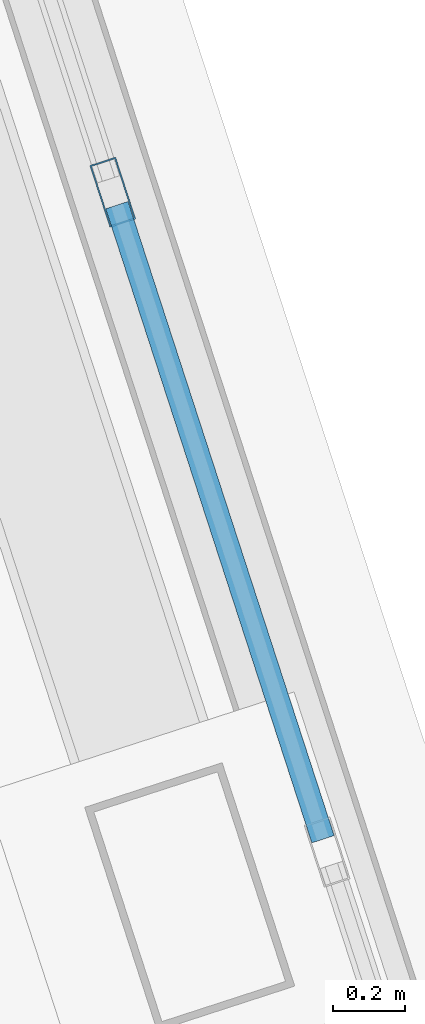
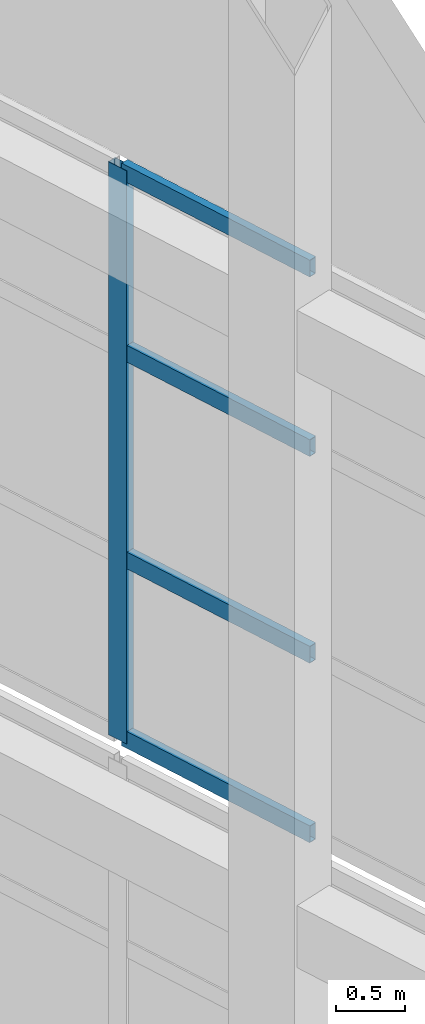
# One storey, part 37 of 56: 5 members, 1 element without a shape of its own.
"""IFC4 building model written with IfcOpenShell, lengths in metres."""

from ifc_helpers import new_model, si_unit, direction, frame, origin, origin_2d, place, context, subcontext, project, spatial, hollow_rectangle, extrude, material, layer, layer_set, material_profile, profile_set, type_object, element, aggregate, save


model = new_model("IFC4")

# Units and contexts
model_context = context("Model", 3, precision=1e-05, world=origin(), true_north=direction((0.0, 1.0)))
body_context = subcontext(model_context, "Body", "Model", "MODEL_VIEW")
ifc_project = project(units=[si_unit("LENGTHUNIT", "METRE"), si_unit("AREAUNIT", "SQUARE_METRE"), si_unit("VOLUMEUNIT", "CUBIC_METRE"), si_unit("PLANEANGLEUNIT", "RADIAN"), si_unit("MASSUNIT", "GRAM", prefix="KILO")], contexts=[model_context])

# Site, building, storey
site_placement = place(None, origin())
site = spatial("IfcSite", under=ifc_project, at=site_placement, CompositionType="ELEMENT")
building_placement = place(site_placement, origin())
building = spatial("IfcBuilding", under=site, at=building_placement, Name="Qiaolan Cultural Towers", CompositionType="ELEMENT")
storey_placement = place(building_placement, frame((0.0, 0.0, 250.39990234375)))
storey = spatial("IfcBuildingStorey", under=building, at=storey_placement, Name="L68", CompositionType="ELEMENT", Elevation=250.39990234375)

# Curtain wall, members
ifc_material_1 = material(Name="Unitized Anodized Aluminium Curtain Wall System", Category="aluminium")
ifc_layer = layer(ifc_material_1, 0.199951171875)
ifc_layer_set = layer_set([ifc_layer], Name="Unitized Anodized Aluminium Curtain Wall System")
curtain_wall_type = type_object("IfcCurtainWallType", Name="CWS-06", PredefinedType="NOTDEFINED", material=ifc_layer_set)
curtain_wall_placement = place(storey_placement, origin())
curtain_wall = element("IfcCurtainWall", 1, at=curtain_wall_placement, inside=storey, type_object=curtain_wall_type, Name="T2 Crown Tier 5 Fritted Screen Curtain Wall 3", PredefinedType="NOTDEFINED")
ifc_material_2 = material(Name="Extruded Aluminium 6063-T6", Category="aluminium")
ifc_material_profile_1 = material_profile(ifc_material_2, hollow_rectangle(XDim=0.074951171875, YDim=0.179931640625, WallThickness=0.00390625, at=origin_2d()), Name="CWM-180x75x4")
ifc_profile_set_1 = profile_set([ifc_material_profile_1], Name="Extruded Aluminium 6063-T6")
member_type_1 = type_object("IfcMemberType", Name="CWS-06-MUL", PredefinedType="MULLION", material=ifc_profile_set_1)
member_1_placement = place(storey_placement, frame((102.578857421875, 40.10595703125, 21.300048828125), z_axis=(0.0, 0.0, 1.0), x_axis=(-0.951056535512, -0.309016935232, 0.0)))
member_1 = element("IfcMember", 2, at=member_1_placement, type_object=member_type_1, Name="CW-6 mullion 5", PredefinedType="MULLION", context=body_context, shape_type="SweptSolid", body=[
    extrude(hollow_rectangle(XDim=0.074951171875, YDim=0.179931640625, WallThickness=0.00390625, at=origin_2d()), origin(), (0.0, 0.0, 1.0), 5.10009765625),
])
ifc_material_3 = material(Name="Extruded Aluminium 6063-T6", Category="aluminium")
ifc_material_profile_2 = material_profile(ifc_material_3, hollow_rectangle(XDim=0.06494140625, YDim=0.14990234375, WallThickness=0.00390625, at=origin_2d()), Name="CWT-150x65x4")
ifc_profile_set_2 = profile_set([ifc_material_profile_2], Name="Extruded Aluminium 6063-T6")
member_type_2 = type_object("IfcMemberType", Name="CWS-06-TRN", PredefinedType="USERDEFINED", material=ifc_profile_set_2)
member_2_placement = place(storey_placement, frame((103.16064453125, 38.3154296875, 21.33251953125), z_axis=(-0.309074105406, 0.951037957901, 0.0), x_axis=(-0.951037957901, -0.309074105406, 0.0)))
member_2 = element("IfcMember", 3, at=member_2_placement, type_object=member_type_2, Name="CW-6 transom 4.1", ObjectType="TRANSOM", PredefinedType="USERDEFINED", context=body_context, shape_type="SweptSolid", body=[
    extrude(hollow_rectangle(XDim=0.06494140625, YDim=0.14990234375, WallThickness=0.00390625, at=origin_2d()), origin(), (0.0, 0.0, 1.0), 1.84521484375),
])
member_3_placement = place(storey_placement, frame((103.16064453125, 38.3154296875, 22.93017578125), z_axis=(-0.309074105406, 0.951037957901, 0.0), x_axis=(-0.951037957901, -0.309074105406, 0.0)))
member_3 = element("IfcMember", 4, at=member_3_placement, type_object=member_type_2, Name="CW-6 transom 4.2", ObjectType="TRANSOM", PredefinedType="USERDEFINED", context=body_context, shape_type="SweptSolid", body=[
    extrude(hollow_rectangle(XDim=0.06494140625, YDim=0.14990234375, WallThickness=0.00390625, at=origin_2d()), origin(), (0.0, 0.0, 1.0), 1.84521484375),
])
member_4_placement = place(storey_placement, frame((103.16064453125, 38.3154296875, 24.77001953125), z_axis=(-0.309074105406, 0.951037957901, 0.0), x_axis=(-0.951037957901, -0.309074105406, 0.0)))
member_4 = element("IfcMember", 5, at=member_4_placement, type_object=member_type_2, Name="CW-6 transom 4.3", ObjectType="TRANSOM", PredefinedType="USERDEFINED", context=body_context, shape_type="SweptSolid", body=[
    extrude(hollow_rectangle(XDim=0.06494140625, YDim=0.14990234375, WallThickness=0.00390625, at=origin_2d()), origin(), (0.0, 0.0, 1.0), 1.84521484375),
])
member_5_placement = place(storey_placement, frame((103.16064453125, 38.3154296875, 26.36767578125), z_axis=(-0.309074105406, 0.951037957901, 0.0), x_axis=(-0.951037957901, -0.309074105406, 0.0)))
member_5 = element("IfcMember", 6, at=member_5_placement, type_object=member_type_2, Name="CW-6 transom 4.4", ObjectType="TRANSOM", PredefinedType="USERDEFINED", context=body_context, shape_type="SweptSolid", body=[
    extrude(hollow_rectangle(XDim=0.06494140625, YDim=0.14990234375, WallThickness=0.00390625, at=origin_2d()), origin(), (0.0, 0.0, 1.0), 1.84521484375),
])
aggregate(curtain_wall, [member_1, member_2, member_3, member_4, member_5])

save(model, "model.ifc")
